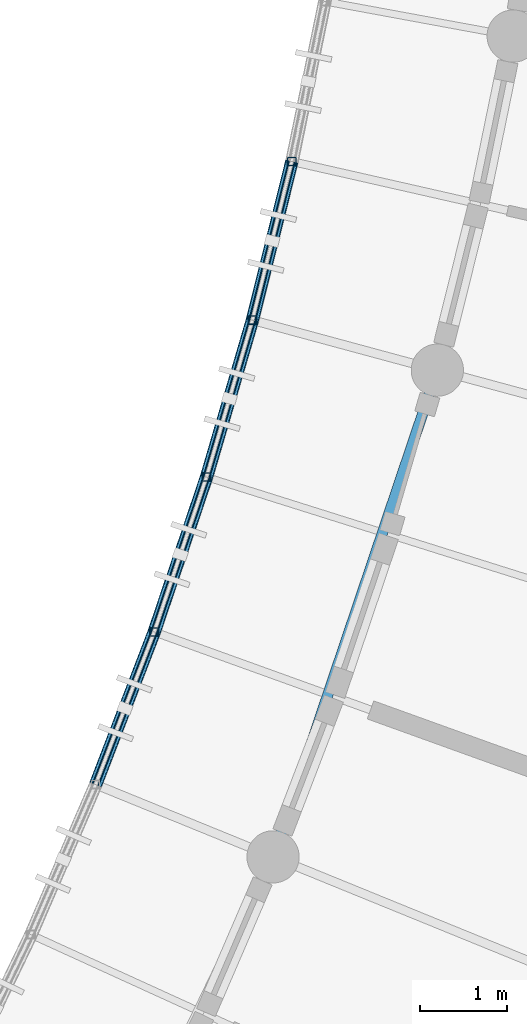
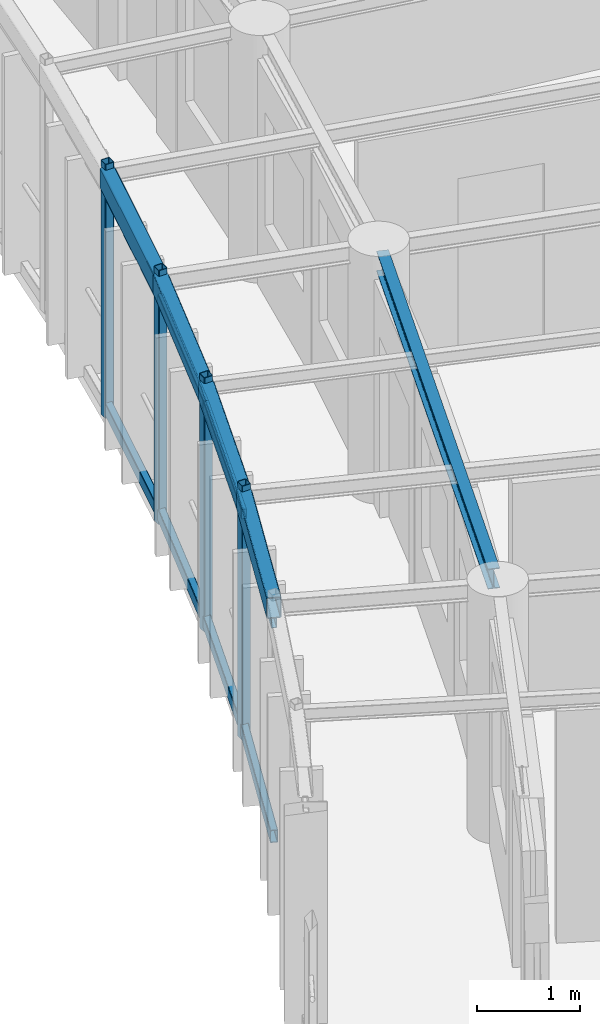
# One storey, part 15 of 100: 12 members, 5 beams.
"""IFC4 building model written with IfcOpenShell, lengths in metres."""

from ifc_helpers import new_model, si_unit, direction, frame, origin, origin_2d, place, context, subcontext, project, spatial, hollow_rectangle, i_section, extrude, material, material_profile, profile_set, type_object, element, save


model = new_model("IFC4")

# Units and contexts
model_context = context("Model", 3, precision=1e-05, world=origin(), true_north=direction((0.0, 1.0)))
body_context = subcontext(model_context, "Body", "Model", "MODEL_VIEW")
ifc_project = project(units=[si_unit("LENGTHUNIT", "METRE"), si_unit("AREAUNIT", "SQUARE_METRE"), si_unit("VOLUMEUNIT", "CUBIC_METRE"), si_unit("PLANEANGLEUNIT", "RADIAN"), si_unit("MASSUNIT", "GRAM", prefix="KILO"), si_unit("POWERUNIT", "WATT"), si_unit("THERMODYNAMICTEMPERATUREUNIT", "KELVIN")], contexts=[model_context])

# Site, building, storey
site_placement = place(None, origin())
site = spatial("IfcSite", under=ifc_project, at=site_placement, CompositionType="ELEMENT")
building_placement = place(site_placement, origin())
building = spatial("IfcBuilding", under=site, at=building_placement, Name="Ruvembo Vaulted Housing Court", CompositionType="ELEMENT")
storey_placement = place(building_placement, frame((0.0, 0.0, 14.10009765625)))
storey = spatial("IfcBuildingStorey", under=building, at=storey_placement, Name="L04", CompositionType="ELEMENT", Elevation=14.10009765625)

# Beams
ifc_material = material(Name="Steel S355J2", Category="steel")
ifc_material_profile_1 = material_profile(ifc_material, i_section(OverallWidth=0.1201171875, OverallDepth=0.239990234375, WebThickness=0.006103515625, FlangeThickness=0.009765625, FilletRadius=0.014892578125, at=origin_2d()), Name="IPE 240")
ifc_profile_set_1 = profile_set([ifc_material_profile_1], Name="Steel S355J2")
beam_type_1 = type_object("IfcBeamType", Name="BM-ST-IPE240", PredefinedType="BEAM", material=ifc_profile_set_1)
beam_1_placement = place(storey_placement, frame((46.5107421875, 56.06396484375, 2.822021484375), z_axis=(0.319809928959, 0.947481719792, 0.0), x_axis=(-0.947481719792, 0.319809928959, 0.0)))
element("IfcBeam", 1, at=beam_1_placement, inside=storey, type_object=beam_type_1, Name="Scoop SC1 L04 Chord Girder F9", PredefinedType="BEAM", context=body_context, shape_type="SweptSolid", body=[
    extrude(i_section(OverallWidth=0.1201171875, OverallDepth=0.239990234375, WebThickness=0.006103515625, FlangeThickness=0.009765625, FilletRadius=0.014892578125, at=origin_2d()), origin(), (0.0, 0.0, 1.0), 5.51708984375),
])
ifc_material_profile_2 = material_profile(ifc_material, hollow_rectangle(XDim=0.14990234375, YDim=0.25, WallThickness=0.010009765625, InnerFilletRadius=0.010009765625, OuterFilletRadius=0.02001953125, at=origin_2d()), Name="RHS 250x150x10")
ifc_profile_set_2 = profile_set([ifc_material_profile_2], Name="Steel S355J2")
beam_type_2 = type_object("IfcBeamType", Name="BM-ST-RHS250", PredefinedType="SPANDREL", material=ifc_profile_set_2)
beam_2_placement = place(storey_placement, frame((44.41259765625, 56.714111328125, 2.81494140625), z_axis=(0.358368836189, 0.933580086146, 0.0), x_axis=(-0.933580086146, 0.358368836189, 0.0)))
element("IfcBeam", 2, at=beam_2_placement, inside=storey, type_object=beam_type_2, Name="Scoop SC1 L04 Balcony Edge Spandrel 9", PredefinedType="SPANDREL", context=body_context, shape_type="SweptSolid", body=[
    extrude(hollow_rectangle(XDim=0.14990234375, YDim=0.25, WallThickness=0.010009765625, InnerFilletRadius=0.010009765625, OuterFilletRadius=0.02001953125, at=origin_2d()), origin(), (0.0, 0.0, 1.0), 1.876953125),
])
beam_3_placement = place(storey_placement, frame((45.085205078125, 58.46630859375, 2.81494140625), z_axis=(0.319933403304, 0.947440033696, 0.0), x_axis=(-0.947440033696, 0.319933403304, 0.0)))
element("IfcBeam", 3, at=beam_3_placement, inside=storey, type_object=beam_type_2, Name="Scoop SC1 L04 Balcony Edge Spandrel 10", PredefinedType="SPANDREL", context=body_context, shape_type="SweptSolid", body=[
    extrude(hollow_rectangle(XDim=0.14990234375, YDim=0.25, WallThickness=0.010009765625, InnerFilletRadius=0.010009765625, OuterFilletRadius=0.02001953125, at=origin_2d()), origin(), (0.0, 0.0, 1.0), 1.87646484375),
])
for number, where, z_axis, x_axis, name in (
    (4, (45.685546875, 60.244140625, 2.81494140625), (0.280729242843, 0.959787003565, 0.0), (-0.959787003565, 0.280729242843, 0.0), "Scoop SC1 L04 Balcony Edge Spandrel 11"),
    (5, (46.21240234375, 62.04541015625, 2.81494140625), (0.241066038615, 0.970508714555, 0.0), (-0.970508714555, 0.241066038615, 0.0), "Scoop SC1 L04 Balcony Edge Spandrel 12"),
):
    element("IfcBeam", number, at=place(storey_placement, frame(where, z_axis=z_axis, x_axis=x_axis)), inside=storey, type_object=beam_type_2, Name=name, PredefinedType="SPANDREL", context=body_context, shape_type="SweptSolid", body=[
        extrude(hollow_rectangle(XDim=0.14990234375, YDim=0.25, WallThickness=0.010009765625, InnerFilletRadius=0.010009765625, OuterFilletRadius=0.02001953125, at=origin_2d()), origin(), (0.0, 0.0, 1.0), 1.876708984375),
    ])

# Members
ifc_material_profile_3 = material_profile(ifc_material, hollow_rectangle(XDim=0.06005859375, YDim=0.1201171875, WallThickness=0.0048828125, InnerFilletRadius=0.0048828125, OuterFilletRadius=0.010009765625, at=origin_2d()), Name="RHS 120x60x5")
ifc_profile_set_3 = profile_set([ifc_material_profile_3], Name="Steel S355J2")
member_type_1 = type_object("IfcMemberType", Name="MEM-CAR-RHS120", PredefinedType="CHORD", material=ifc_profile_set_3)
member_1_placement = place(storey_placement, frame((44.41259765625, 56.714111328125, 2.6328125), z_axis=(0.358368836189, 0.933580086146, 0.0), x_axis=(-0.933580086146, 0.358368836189, 0.0)))
element("IfcMember", 6, at=member_1_placement, inside=storey, type_object=member_type_1, Name="Scoop SC1 L04 Upper Louvre Carrier Rail 9", PredefinedType="CHORD", context=body_context, shape_type="SweptSolid", body=[
    extrude(hollow_rectangle(XDim=0.06005859375, YDim=0.1201171875, WallThickness=0.0048828125, InnerFilletRadius=0.0048828125, OuterFilletRadius=0.010009765625, at=origin_2d()), origin(), (0.0, 0.0, 1.0), 1.876953125),
])
member_2_placement = place(storey_placement, frame((45.085205078125, 58.46630859375, 2.6328125), z_axis=(0.319933403304, 0.947440033696, 0.0), x_axis=(-0.947440033696, 0.319933403304, 0.0)))
element("IfcMember", 7, at=member_2_placement, inside=storey, type_object=member_type_1, Name="Scoop SC1 L04 Upper Louvre Carrier Rail 10", PredefinedType="CHORD", context=body_context, shape_type="SweptSolid", body=[
    extrude(hollow_rectangle(XDim=0.06005859375, YDim=0.1201171875, WallThickness=0.0048828125, InnerFilletRadius=0.0048828125, OuterFilletRadius=0.010009765625, at=origin_2d()), origin(), (0.0, 0.0, 1.0), 1.87646484375),
])
for number, where, z_axis, x_axis, name in (
    (8, (45.685546875, 60.244140625, 2.6328125), (0.280729242843, 0.959787003565, 0.0), (-0.959787003565, 0.280729242843, 0.0), "Scoop SC1 L04 Upper Louvre Carrier Rail 11"),
    (9, (46.21240234375, 62.04541015625, 2.6328125), (0.241066038615, 0.970508714555, 0.0), (-0.970508714555, 0.241066038615, 0.0), "Scoop SC1 L04 Upper Louvre Carrier Rail 12"),
):
    element("IfcMember", number, at=place(storey_placement, frame(where, z_axis=z_axis, x_axis=x_axis)), inside=storey, type_object=member_type_1, Name=name, PredefinedType="CHORD", context=body_context, shape_type="SweptSolid", body=[
        extrude(hollow_rectangle(XDim=0.06005859375, YDim=0.1201171875, WallThickness=0.0048828125, InnerFilletRadius=0.0048828125, OuterFilletRadius=0.010009765625, at=origin_2d()), origin(), (0.0, 0.0, 1.0), 1.876708984375),
    ])
ifc_material_profile_4 = material_profile(ifc_material, hollow_rectangle(XDim=0.080078125, YDim=0.14990234375, WallThickness=0.00634765625, InnerFilletRadius=0.00634765625, OuterFilletRadius=0.0126953125, at=origin_2d()), Name="RHS 150x80x6.3")
ifc_profile_set_4 = profile_set([ifc_material_profile_4], Name="Steel S355J2")
member_type_2 = type_object("IfcMemberType", Name="MEM-CAR-RHS150", PredefinedType="CHORD", material=ifc_profile_set_4)
member_3_placement = place(storey_placement, frame((44.41259765625, 56.714111328125, 0.094970703125), z_axis=(0.358368836189, 0.933580086146, 0.0), x_axis=(-0.933580086146, 0.358368836189, 0.0)))
element("IfcMember", 10, at=member_3_placement, inside=storey, type_object=member_type_2, Name="Scoop SC1 L04 Lower Louvre Carrier Rail 9", PredefinedType="CHORD", context=body_context, shape_type="SweptSolid", body=[
    extrude(hollow_rectangle(XDim=0.080078125, YDim=0.14990234375, WallThickness=0.00634765625, InnerFilletRadius=0.00634765625, OuterFilletRadius=0.0126953125, at=origin_2d()), origin(), (0.0, 0.0, 1.0), 1.876953125),
])
member_4_placement = place(storey_placement, frame((45.085205078125, 58.46630859375, 0.094970703125), z_axis=(0.319933403304, 0.947440033696, 0.0), x_axis=(-0.947440033696, 0.319933403304, 0.0)))
element("IfcMember", 11, at=member_4_placement, inside=storey, type_object=member_type_2, Name="Scoop SC1 L04 Lower Louvre Carrier Rail 10", PredefinedType="CHORD", context=body_context, shape_type="SweptSolid", body=[
    extrude(hollow_rectangle(XDim=0.080078125, YDim=0.14990234375, WallThickness=0.00634765625, InnerFilletRadius=0.00634765625, OuterFilletRadius=0.0126953125, at=origin_2d()), origin(), (0.0, 0.0, 1.0), 1.87646484375),
])
for number, where, z_axis, x_axis, name in (
    (12, (45.685546875, 60.244140625, 0.094970703125), (0.280729242843, 0.959787003565, 0.0), (-0.959787003565, 0.280729242843, 0.0), "Scoop SC1 L04 Lower Louvre Carrier Rail 11"),
    (13, (46.21240234375, 62.04541015625, 0.094970703125), (0.241066038615, 0.970508714555, 0.0), (-0.970508714555, 0.241066038615, 0.0), "Scoop SC1 L04 Lower Louvre Carrier Rail 12"),
):
    element("IfcMember", number, at=place(storey_placement, frame(where, z_axis=z_axis, x_axis=x_axis)), inside=storey, type_object=member_type_2, Name=name, PredefinedType="CHORD", context=body_context, shape_type="SweptSolid", body=[
        extrude(hollow_rectangle(XDim=0.080078125, YDim=0.14990234375, WallThickness=0.00634765625, InnerFilletRadius=0.00634765625, OuterFilletRadius=0.0126953125, at=origin_2d()), origin(), (0.0, 0.0, 1.0), 1.876708984375),
    ])
ifc_material_profile_5 = material_profile(ifc_material, hollow_rectangle(XDim=0.10009765625, YDim=0.10009765625, WallThickness=0.00634765625, InnerFilletRadius=0.00634765625, OuterFilletRadius=0.0126953125, at=origin_2d()), Name="SHS 100x100x6.3")
ifc_profile_set_5 = profile_set([ifc_material_profile_5], Name="Steel S355J2")
member_type_3 = type_object("IfcMemberType", Name="MEM-FRM-SHS100", PredefinedType="STRUT", material=ifc_profile_set_5)
for number, where, z_axis, x_axis, name in (
    (14, (45.085205078125, 58.46630859375, -0.01513671875), (0.0, 0.0, 1.0), (1.0, 0.0, 0.0), "Scoop SC1 L04 Louvre Frame Post 10"),
    (15, (45.685546875, 60.244140625, -0.01513671875), (0.0, 0.0, 1.0), (1.0, 0.0, 0.0), "Scoop SC1 L04 Louvre Frame Post 11"),
    (16, (46.21240234375, 62.04541015625, -0.01513671875), (0.0, 0.0, 1.0), (1.0, 0.0, 0.0), "Scoop SC1 L04 Louvre Frame Post 12"),
    (17, (46.664794921875, 63.86669921875, -0.01513671875), (0.0, 0.0, 1.0), (1.0, 0.0, 0.0), "Scoop SC1 L04 Louvre Frame Post 13"),
):
    element("IfcMember", number, at=place(storey_placement, frame(where, z_axis=z_axis, x_axis=x_axis)), inside=storey, type_object=member_type_3, Name=name, PredefinedType="STRUT", context=body_context, shape_type="SweptSolid", body=[
        extrude(hollow_rectangle(XDim=0.10009765625, YDim=0.10009765625, WallThickness=0.00634765625, InnerFilletRadius=0.00634765625, OuterFilletRadius=0.0126953125, at=origin_2d()), origin(), (0.0, 0.0, 1.0), 3.02294921875),
    ])

save(model, "model.ifc")
